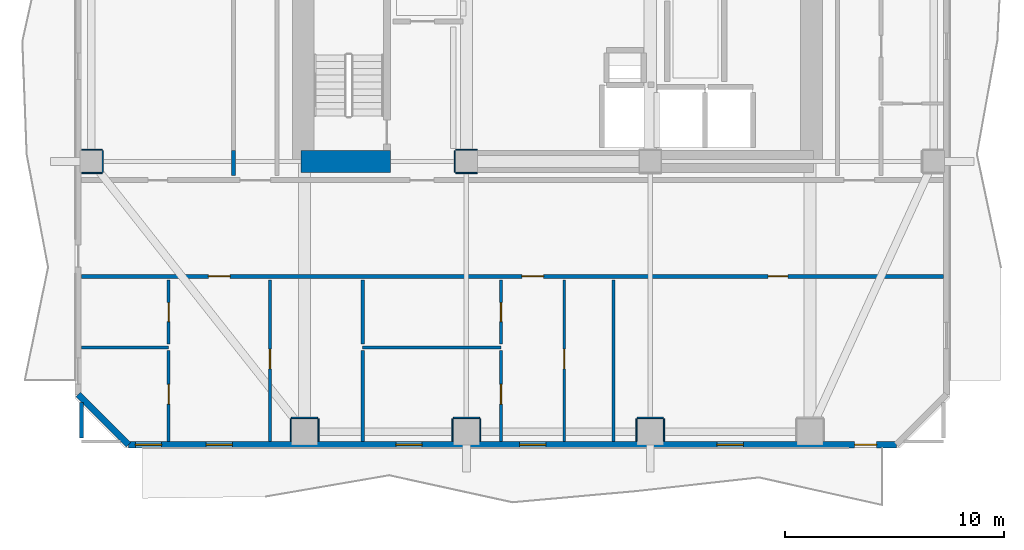
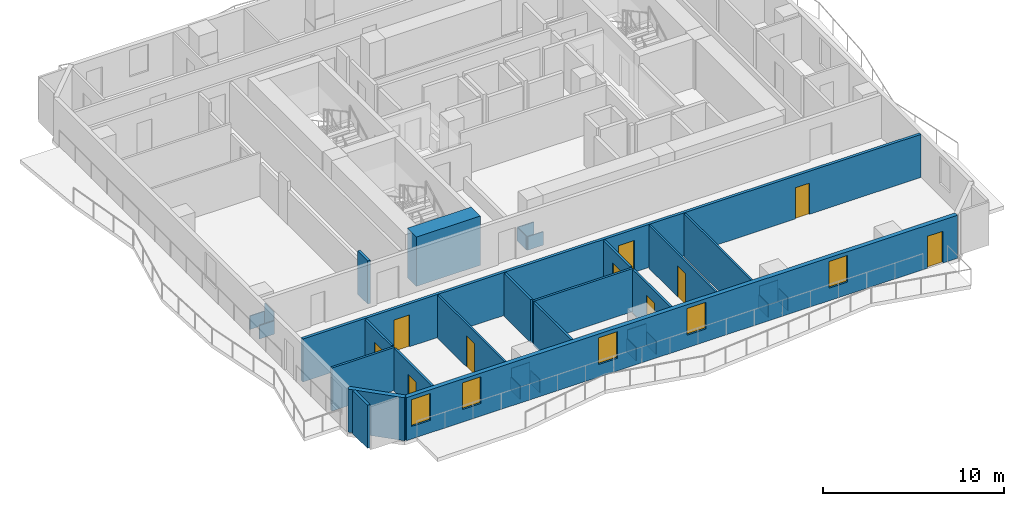
# One storey, part 2 of 10: 32 walls, 10 doors, 5 windows, 15 openings.
"""IFC4 building model written with IfcOpenShell, lengths in metres."""

from ifc_helpers import new_model, si_unit, direction, frame, frame_2d, origin, place, context, subcontext, project, spatial, rectangle, extrude, material, layer, layer_set, type_object, element, fill, save


model = new_model("IFC4")

# Units and contexts
model_context = context("Model", 3, precision=1e-05, world=origin(), true_north=direction((0.0, 1.0)))
body_context = subcontext(model_context, "Body", "Model", "MODEL_VIEW")
ifc_project = project(units=[si_unit("LENGTHUNIT", "METRE"), si_unit("AREAUNIT", "SQUARE_METRE"), si_unit("VOLUMEUNIT", "CUBIC_METRE"), si_unit("PLANEANGLEUNIT", "RADIAN"), si_unit("MASSUNIT", "GRAM", prefix="KILO")], contexts=[model_context])

# Site, building, storey
site_placement = place(None, origin())
site = spatial("IfcSite", under=ifc_project, at=site_placement, CompositionType="ELEMENT")
building_placement = place(site_placement, origin())
building = spatial("IfcBuilding", under=site, at=building_placement, Name="Solanera Arch Residences", CompositionType="ELEMENT")
storey_placement = place(building_placement, frame((0.0, 0.0, 122.679931640625)))
storey = spatial("IfcBuildingStorey", under=building, at=storey_placement, Name="L35", CompositionType="ELEMENT", Elevation=122.679931640625)

# Walls
ifc_material_1 = material(Name="Fire-Rated Gypsum Stud Partition", Category="gypsum")
ifc_layer_1 = layer(ifc_material_1, 0.06005859375)
ifc_layer_set_1 = layer_set([ifc_layer_1], Name="Fire-Rated Gypsum Stud Partition")
wall_type_1 = type_object("IfcWallType", Name="Column Acoustic Furring Wall 60", PredefinedType="PARTITIONING", material=ifc_layer_set_1)
for number, where, z_axis, x_axis, name in (
    (1, (20.300048828125, 21.468017578125, 0.0), (0.0, 0.0, 1.0), (1.0, 0.0, 0.0), "L35 Column Furring 1S"),
    (2, (20.300048828125, 22.531982421875, 0.0), (0.0, 0.0, 1.0), (1.0, 0.0, 0.0), "L35 Column Furring 1N"),
    (3, (20.26806640625, 21.5, 0.0), (0.0, 0.0, 1.0), (0.0, 1.0, 0.0), "L35 Column Furring 1W"),
):
    element("IfcWall", number, at=place(storey_placement, frame(where, z_axis=z_axis, x_axis=x_axis)), inside=storey, type_object=wall_type_1, Name=name, PredefinedType="PARTITIONING", context=body_context, shape_type="SweptSolid", body=[
        extrude(rectangle(XDim=1.0, YDim=0.06005859375, at=frame_2d((0.5, 0.0))), origin(), (0.0, 0.0, 1.0), 0.905029296875),
    ])
wall_1_placement = place(storey_placement, frame((12.800048828125, 10.281982421875, 0.0), z_axis=(0.0, 0.0, 1.0), x_axis=(1.0, 0.0, 0.0)))
element("IfcWall", 4, at=wall_1_placement, inside=storey, type_object=wall_type_1, Name="L35 Column Furring 9N", PredefinedType="PARTITIONING", context=body_context, shape_type="SweptSolid", body=[
    extrude(rectangle(XDim=1.199951171875, YDim=0.06005859375, at=frame_2d((0.60009765625, 0.0))), origin(), (0.0, 0.0, 1.0), 1.449951171875),
])
for number, where, z_axis, x_axis, name in (
    (5, (12.76806640625, 9.2099609375, 0.0), (0.0, 0.0, 1.0), (0.0, 1.0, 0.0), "L35 Column Furring 9W"),
    (6, (14.031982421875, 9.2099609375, 0.0), (0.0, 0.0, 1.0), (0.0, 1.0, 0.0), "L35 Column Furring 9E"),
):
    element("IfcWall", number, at=place(storey_placement, frame(where, z_axis=z_axis, x_axis=x_axis)), inside=storey, type_object=wall_type_1, Name=name, PredefinedType="PARTITIONING", context=body_context, shape_type="SweptSolid", body=[
        extrude(rectangle(XDim=1.0400390625, YDim=0.06005859375, at=frame_2d((0.52001953125, 0.0))), origin(), (0.0, 0.0, 1.0), 0.905029296875),
    ])
wall_2_placement = place(storey_placement, frame((20.199951171875, 10.281982421875, 0.0), z_axis=(0.0, 0.0, 1.0), x_axis=(1.0, 0.0, 0.0)))
element("IfcWall", 7, at=wall_2_placement, inside=storey, type_object=wall_type_1, Name="L35 Column Furring 11N", PredefinedType="PARTITIONING", context=body_context, shape_type="SweptSolid", body=[
    extrude(rectangle(XDim=1.199951171875, YDim=0.06005859375, at=frame_2d((0.60009765625, 0.0))), origin(), (0.0, 0.0, 1.0), 1.449951171875),
])
for number, where, z_axis, x_axis, name in (
    (8, (20.16796875, 9.2099609375, 0.0), (0.0, 0.0, 1.0), (0.0, 1.0, 0.0), "L35 Column Furring 11W"),
    (9, (21.431884765625, 9.2099609375, 0.0), (0.0, 0.0, 1.0), (0.0, 1.0, 0.0), "L35 Column Furring 11E"),
):
    element("IfcWall", number, at=place(storey_placement, frame(where, z_axis=z_axis, x_axis=x_axis)), inside=storey, type_object=wall_type_1, Name=name, PredefinedType="PARTITIONING", context=body_context, shape_type="SweptSolid", body=[
        extrude(rectangle(XDim=1.0400390625, YDim=0.06005859375, at=frame_2d((0.52001953125, 0.0))), origin(), (0.0, 0.0, 1.0), 0.905029296875),
    ])
wall_3_placement = place(storey_placement, frame((28.60009765625, 10.281982421875, 0.0), z_axis=(0.0, 0.0, 1.0), x_axis=(1.0, 0.0, 0.0)))
element("IfcWall", 10, at=wall_3_placement, inside=storey, type_object=wall_type_1, Name="L35 Column Furring 13N", PredefinedType="PARTITIONING", context=body_context, shape_type="SweptSolid", body=[
    extrude(rectangle(XDim=1.199951171875, YDim=0.06005859375, at=frame_2d((0.60009765625, 0.0))), origin(), (0.0, 0.0, 1.0), 1.449951171875),
])
for number, where, z_axis, x_axis, name in (
    (11, (28.568115234375, 9.2099609375, 0.0), (0.0, 0.0, 1.0), (0.0, 1.0, 0.0), "L35 Column Furring 13W"),
    (12, (29.83203125, 9.2099609375, 0.0), (0.0, 0.0, 1.0), (0.0, 1.0, 0.0), "L35 Column Furring 13E"),
):
    element("IfcWall", number, at=place(storey_placement, frame(where, z_axis=z_axis, x_axis=x_axis)), inside=storey, type_object=wall_type_1, Name=name, PredefinedType="PARTITIONING", context=body_context, shape_type="SweptSolid", body=[
        extrude(rectangle(XDim=1.0400390625, YDim=0.06005859375, at=frame_2d((0.52001953125, 0.0))), origin(), (0.0, 0.0, 1.0), 0.905029296875),
    ])
for number, where, z_axis, x_axis, name in (
    (13, (3.2099609375, 21.468017578125, 0.0), (0.0, 0.0, 1.0), (1.0, 0.0, 0.0), "L35 Column Furring 17S"),
    (14, (3.2099609375, 22.531982421875, 0.0), (0.0, 0.0, 1.0), (1.0, 0.0, 0.0), "L35 Column Furring 17N"),
):
    element("IfcWall", number, at=place(storey_placement, frame(where, z_axis=z_axis, x_axis=x_axis)), inside=storey, type_object=wall_type_1, Name=name, PredefinedType="PARTITIONING", context=body_context, shape_type="SweptSolid", body=[
        extrude(rectangle(XDim=0.93994140625, YDim=0.06005859375, at=frame_2d((0.469970703125, 0.0))), origin(), (0.0, 0.0, 1.0), 0.905029296875),
    ])
wall_4_placement = place(storey_placement, frame((4.181884765625, 21.5, 0.0), z_axis=(0.0, 0.0, 1.0), x_axis=(0.0, 1.0, 0.0)))
element("IfcWall", 15, at=wall_4_placement, inside=storey, type_object=wall_type_1, Name="L35 Column Furring 17E", PredefinedType="PARTITIONING", context=body_context, shape_type="SweptSolid", body=[
    extrude(rectangle(XDim=1.0, YDim=0.06005859375, at=frame_2d((0.5, 0.0))), origin(), (0.0, 0.0, 1.0), 1.449951171875),
])
ifc_material_2 = material(Name="Concrete C55/67 (f'c = 60 MPa)", Category="concrete")
ifc_layer_2 = layer(ifc_material_2, 1.0)
ifc_layer_set_2 = layer_set([ifc_layer_2], Name="Concrete C55/67 (f'c = 60 MPa)")
wall_type_2 = type_object("IfcWallType", Name="Core Shear Wall CW-1000", PredefinedType="SHEAR", material=ifc_layer_set_2)
wall_5_placement = place(storey_placement, frame((13.239990234375, 22.0, 0.0), z_axis=(0.0, 0.0, 1.0), x_axis=(1.0, 0.0, 0.0)))
element("IfcWall", 16, at=wall_5_placement, inside=storey, type_object=wall_type_2, Name="L35 South-West Core Shear Wall", PredefinedType="SHEAR", context=body_context, shape_type="SweptSolid", body=[
    extrude(rectangle(XDim=4.080078125, YDim=1.0, at=frame_2d((2.0400390625, 0.0))), origin(), (0.0, 0.0, 1.0), 3.320068359375),
])

# Wall, openings, doors
ifc_material_3 = material(Name="Autoclaved Aerated Concrete Blockwork", Category="masonry")
ifc_layer_3 = layer(ifc_material_3, 0.179931640625)
ifc_layer_set_3 = layer_set([ifc_layer_3], Name="Autoclaved Aerated Concrete Blockwork")
wall_type_3 = type_object("IfcWallType", Name="Corridor Fire Partition 180", PredefinedType="PARTITIONING", material=ifc_layer_set_3)
wall_6_placement = place(storey_placement, frame((3.20703125, 16.75, 0.0), z_axis=(0.0, 0.0, 1.0), x_axis=(1.0, 0.0, 0.0)))
wall_6 = element("IfcWall", 17, at=wall_6_placement, inside=storey, type_object=wall_type_3, Name="L35 Interior Partition H7", PredefinedType="PARTITIONING", context=body_context, shape_type="SweptSolid", body=[
    extrude(rectangle(XDim=39.385986328125, YDim=0.179931640625, at=frame_2d((19.69287109375, 0.0))), origin(), (0.0, 0.0, 1.0), 2.900146484375),
])
opening_1_placement = place(wall_6_placement, frame((5.797119140625, 0.0, 0.0)))
opening_1 = element("IfcOpeningElement", 18, at=opening_1_placement, cuts=wall_6, Name="Opening DI-01", PredefinedType="OPENING", context=body_context, shape_type="SweptSolid", body=[
    extrude(rectangle(XDim=1.0, YDim=2.14990234375, at=frame_2d((0.5, 1.074951171875))), frame((0.0, 0.10009765625, 0.0), z_axis=(0.0, -1.0, 0.0), x_axis=(1.0, 0.0, 0.0)), (0.0, 0.0, 1.0), 0.1999),
])
opening_2_placement = place(wall_6_placement, frame((20.12109375, 0.0, 0.0)))
opening_2 = element("IfcOpeningElement", 19, at=opening_2_placement, cuts=wall_6, Name="Opening DI-01", PredefinedType="OPENING", context=body_context, shape_type="SweptSolid", body=[
    extrude(rectangle(XDim=1.0, YDim=2.14990234375, at=frame_2d((0.5, 1.074951171875))), frame((0.0, 0.10009765625, 0.0), z_axis=(0.0, -1.0, 0.0), x_axis=(1.0, 0.0, 0.0)), (0.0, 0.0, 1.0), 0.1999),
])
opening_3_placement = place(wall_6_placement, frame((31.37890625, 0.0, 0.0)))
opening_3 = element("IfcOpeningElement", 20, at=opening_3_placement, cuts=wall_6, Name="Opening DI-02", PredefinedType="OPENING", context=body_context, shape_type="SweptSolid", body=[
    extrude(rectangle(XDim=0.89990234375, YDim=2.10009765625, at=frame_2d((0.449951171875, 1.050048828125))), frame((0.0, 0.10009765625, 0.0), z_axis=(0.0, -1.0, 0.0), x_axis=(1.0, 0.0, 0.0)), (0.0, 0.0, 1.0), 0.1999),
])
ifc_material_4 = material(Name="Fire-Rated Architectural Hardwood", Category="wood")
door_type_1 = type_object("IfcDoorType", Name="Suite Room Swing Door DI-02", OperationType="NOTDEFINED", PredefinedType="DOOR", material=ifc_material_4)
door_1_placement = place(opening_3_placement, origin())
door_1 = element("IfcDoor", 21, at=door_1_placement, inside=storey, type_object=door_type_1, Name="DR-L35-IN-025", OperationType="SINGLE_SWING_LEFT", OverallHeight=2.10009765625, OverallWidth=0.89990234375, PredefinedType="DOOR", context=body_context, shape_type="SweptSolid", body=[
    extrude(rectangle(XDim=0.89990234375, YDim=2.10009765625, at=frame_2d((0.449951171875, 1.050048828125))), frame((0.0, 0.02490234375, 0.0), z_axis=(0.0, -1.0, 0.0), x_axis=(1.0, 0.0, 0.0)), (0.0, 0.0, 1.0), 0.050048828125),
])
fill(opening_3, door_1)
ifc_material_5 = material(Name="Fire-Rated Architectural Hardwood", Category="wood")
door_type_2 = type_object("IfcDoorType", Name="Unit Entrance Fire Door DI-01", OperationType="NOTDEFINED", PredefinedType="DOOR", material=ifc_material_5)
door_2_placement = place(opening_1_placement, origin())
door_2 = element("IfcDoor", 22, at=door_2_placement, inside=storey, type_object=door_type_2, Name="DR-L35-IN-017", OperationType="SINGLE_SWING_LEFT", OverallHeight=2.14990234375, OverallWidth=1.0, PredefinedType="DOOR", context=body_context, shape_type="SweptSolid", body=[
    extrude(rectangle(XDim=1.0, YDim=2.14990234375, at=frame_2d((0.5, 1.074951171875))), frame((0.0, 0.02490234375, 0.0), z_axis=(0.0, -1.0, 0.0), x_axis=(1.0, 0.0, 0.0)), (0.0, 0.0, 1.0), 0.050048828125),
])
fill(opening_1, door_2)
door_3_placement = place(opening_2_placement, origin())
door_3 = element("IfcDoor", 23, at=door_3_placement, inside=storey, type_object=door_type_2, Name="DR-L35-IN-021", OperationType="SINGLE_SWING_LEFT", OverallHeight=2.14990234375, OverallWidth=1.0, PredefinedType="DOOR", context=body_context, shape_type="SweptSolid", body=[
    extrude(rectangle(XDim=1.0, YDim=2.14990234375, at=frame_2d((0.5, 1.074951171875))), frame((0.0, 0.02490234375, 0.0), z_axis=(0.0, -1.0, 0.0), x_axis=(1.0, 0.0, 0.0)), (0.0, 0.0, 1.0), 0.050048828125),
])
fill(opening_2, door_3)

# Walls
wall_7_placement = place(storey_placement, frame((3.199951171875, 9.35791015625, 0.0), z_axis=(0.0, 0.0, 1.0), x_axis=(0.0, 1.0, 0.0)))
element("IfcWall", 24, at=wall_7_placement, inside=storey, type_object=wall_type_3, Name="L35 Interior Partition V7 1", PredefinedType="PARTITIONING", context=body_context, shape_type="SweptSolid", body=[
    extrude(rectangle(XDim=1.63720703125, YDim=0.179931640625, at=frame_2d((0.818603515625, 0.0))), origin(), (0.0, 0.0, 1.0), 2.900146484375),
])
wall_8_placement = place(storey_placement, frame((10.14990234375, 21.367919921875, 0.0), z_axis=(0.0, 0.0, 1.0), x_axis=(0.0, 1.0, 0.0)))
element("IfcWall", 25, at=wall_8_placement, inside=storey, type_object=wall_type_3, Name="L35 Interior Partition V8 1", PredefinedType="PARTITIONING", context=body_context, shape_type="SweptSolid", body=[
    extrude(rectangle(XDim=1.132080078125, YDim=0.179931640625, at=frame_2d((0.56591796875, 0.0))), origin(), (0.0, 0.0, 1.0), 2.900146484375),
])

# Wall, openings, door, windows
ifc_material_6 = material(Name="Precast Concrete C35/45", Category="concrete")
ifc_layer_4 = layer(ifc_material_6, 0.280029296875)
ifc_layer_set_4 = layer_set([ifc_layer_4], Name="Precast Concrete C35/45")
wall_type_4 = type_object("IfcWallType", Name="Exterior Wall Precast Masonry-Frame 280", PredefinedType="STANDARD", material=ifc_layer_set_4)
wall_9_placement = place(storey_placement, frame((40.445068359375, 9.054931640625, 0.0), z_axis=(0.0, 0.0, 1.0), x_axis=(-1.0, 0.0, 0.0)))
wall_9 = element("IfcWall", 26, at=wall_9_placement, inside=storey, type_object=wall_type_4, Name="L35 Tower Exterior Precast Masonry-Frame Wall S", PredefinedType="STANDARD", context=body_context, shape_type="SweptSolid", body=[
    extrude(rectangle(XDim=35.090087890625, YDim=0.280029296875, at=frame_2d((17.544921875, 0.0))), origin(), (0.0, 0.0, 1.0), 2.900146484375),
])
opening_4_placement = place(wall_9_placement, frame((0.904052734375, 0.0, 0.0)))
opening_4 = element("IfcOpeningElement", 27, at=opening_4_placement, cuts=wall_9, Name="Opening DB-01", PredefinedType="OPENING", context=body_context, shape_type="SweptSolid", body=[
    extrude(rectangle(XDim=1.0, YDim=2.14990234375, at=frame_2d((0.5, 1.074951171875))), frame((0.0, 0.14990234375, 0.0), z_axis=(0.0, -1.0, 0.0), x_axis=(1.0, 0.0, 0.0)), (0.0, 0.0, 1.0), 0.3),
])
opening_5_placement = place(wall_9_placement, frame((30.341064453125, 0.0, 0.85009765625)))
opening_5 = element("IfcOpeningElement", 28, at=opening_5_placement, cuts=wall_9, Name="Opening W-01", PredefinedType="OPENING", context=body_context, shape_type="SweptSolid", body=[
    extrude(rectangle(XDim=1.199951171875, YDim=1.800048828125, at=frame_2d((0.60009765625, 0.89990234375))), frame((0.0, 0.14990234375, 0.0), z_axis=(0.0, -1.0, 0.0), x_axis=(1.0, 0.0, 0.0)), (0.0, 0.0, 1.0), 0.3),
])
opening_6_placement = place(wall_9_placement, frame((33.5791015625, 0.0, 0.85009765625)))
opening_6 = element("IfcOpeningElement", 29, at=opening_6_placement, cuts=wall_9, Name="Opening W-01", PredefinedType="OPENING", context=body_context, shape_type="SweptSolid", body=[
    extrude(rectangle(XDim=1.199951171875, YDim=1.800048828125, at=frame_2d((0.60009765625, 0.89990234375))), frame((0.0, 0.14990234375, 0.0), z_axis=(0.0, -1.0, 0.0), x_axis=(1.0, 0.0, 0.0)), (0.0, 0.0, 1.0), 0.3),
])
opening_7_placement = place(wall_9_placement, frame((16.01708984375, 0.0, 0.85009765625)))
opening_7 = element("IfcOpeningElement", 30, at=opening_7_placement, cuts=wall_9, Name="Opening W-01", PredefinedType="OPENING", context=body_context, shape_type="SweptSolid", body=[
    extrude(rectangle(XDim=1.199951171875, YDim=1.800048828125, at=frame_2d((0.60009765625, 0.89990234375))), frame((0.0, 0.14990234375, 0.0), z_axis=(0.0, -1.0, 0.0), x_axis=(1.0, 0.0, 0.0)), (0.0, 0.0, 1.0), 0.3),
])
opening_8_placement = place(wall_9_placement, frame((21.6650390625, 0.0, 0.85009765625)))
opening_8 = element("IfcOpeningElement", 31, at=opening_8_placement, cuts=wall_9, Name="Opening W-01", PredefinedType="OPENING", context=body_context, shape_type="SweptSolid", body=[
    extrude(rectangle(XDim=1.199951171875, YDim=1.800048828125, at=frame_2d((0.60009765625, 0.89990234375))), frame((0.0, 0.14990234375, 0.0), z_axis=(0.0, -1.0, 0.0), x_axis=(1.0, 0.0, 0.0)), (0.0, 0.0, 1.0), 0.3),
])
opening_9_placement = place(wall_9_placement, frame((6.9951171875, 0.0, 0.85009765625)))
opening_9 = element("IfcOpeningElement", 32, at=opening_9_placement, cuts=wall_9, Name="Opening W-01", PredefinedType="OPENING", context=body_context, shape_type="SweptSolid", body=[
    extrude(rectangle(XDim=1.199951171875, YDim=1.800048828125, at=frame_2d((0.60009765625, 0.89990234375))), frame((0.0, 0.14990234375, 0.0), z_axis=(0.0, -1.0, 0.0), x_axis=(1.0, 0.0, 0.0)), (0.0, 0.0, 1.0), 0.3),
])
ifc_material_7 = material(Name="Anodised Aluminium Alloy 6063-T6", Category="aluminium")
door_type_3 = type_object("IfcDoorType", Name="Glazed Balcony Swing Door DB-01", OperationType="NOTDEFINED", PredefinedType="DOOR", material=ifc_material_7)
door_4_placement = place(opening_4_placement, origin())
door_4 = element("IfcDoor", 33, at=door_4_placement, inside=storey, type_object=door_type_3, Name="DR-L35-OUT-01", OperationType="SINGLE_SWING_LEFT", OverallHeight=2.14990234375, OverallWidth=1.0, PredefinedType="DOOR", context=body_context, shape_type="SweptSolid", body=[
    extrude(rectangle(XDim=1.0, YDim=2.14990234375, at=frame_2d((0.5, 1.074951171875))), frame((0.0, 0.02490234375, 0.0), z_axis=(0.0, -1.0, 0.0), x_axis=(1.0, 0.0, 0.0)), (0.0, 0.0, 1.0), 0.050048828125),
])
fill(opening_4, door_4)
ifc_material_8 = material(Name="Double Glazed Low-E Laminated Glass", Category="glass")
window_type = type_object("IfcWindowType", Name="Punched Window W-01", PartitioningType="SINGLE_PANEL", PredefinedType="WINDOW", material=ifc_material_8)
window_1_placement = place(opening_5_placement, origin())
window_1 = element("IfcWindow", 34, at=window_1_placement, inside=storey, type_object=window_type, Name="L35 3501-LIV Punched Window", OverallHeight=1.800048828125, OverallWidth=1.199951171875, PartitioningType="SINGLE_PANEL", PredefinedType="WINDOW", context=body_context, shape_type="SweptSolid", body=[
    extrude(rectangle(XDim=1.199951171875, YDim=1.800048828125, at=frame_2d((0.60009765625, 0.89990234375))), frame((0.0, 0.030029296875, 0.0), z_axis=(0.0, -1.0, 0.0), x_axis=(1.0, 0.0, 0.0)), (0.0, 0.0, 1.0), 0.06005859375),
])
fill(opening_5, window_1)
window_2_placement = place(opening_6_placement, origin())
window_2 = element("IfcWindow", 35, at=window_2_placement, inside=storey, type_object=window_type, Name="L35 3501-BR1 Punched Window", OverallHeight=1.800048828125, OverallWidth=1.199951171875, PartitioningType="SINGLE_PANEL", PredefinedType="WINDOW", context=body_context, shape_type="SweptSolid", body=[
    extrude(rectangle(XDim=1.199951171875, YDim=1.800048828125, at=frame_2d((0.60009765625, 0.89990234375))), frame((0.0, 0.030029296875, 0.0), z_axis=(0.0, -1.0, 0.0), x_axis=(1.0, 0.0, 0.0)), (0.0, 0.0, 1.0), 0.06005859375),
])
fill(opening_6, window_2)
window_3_placement = place(opening_7_placement, origin())
window_3 = element("IfcWindow", 36, at=window_3_placement, inside=storey, type_object=window_type, Name="L35 3502-LIV Punched Window", OverallHeight=1.800048828125, OverallWidth=1.199951171875, PartitioningType="SINGLE_PANEL", PredefinedType="WINDOW", context=body_context, shape_type="SweptSolid", body=[
    extrude(rectangle(XDim=1.199951171875, YDim=1.800048828125, at=frame_2d((0.60009765625, 0.89990234375))), frame((0.0, 0.030029296875, 0.0), z_axis=(0.0, -1.0, 0.0), x_axis=(1.0, 0.0, 0.0)), (0.0, 0.0, 1.0), 0.06005859375),
])
fill(opening_7, window_3)
window_4_placement = place(opening_8_placement, origin())
window_4 = element("IfcWindow", 37, at=window_4_placement, inside=storey, type_object=window_type, Name="L35 3502-BR1 Punched Window", OverallHeight=1.800048828125, OverallWidth=1.199951171875, PartitioningType="SINGLE_PANEL", PredefinedType="WINDOW", context=body_context, shape_type="SweptSolid", body=[
    extrude(rectangle(XDim=1.199951171875, YDim=1.800048828125, at=frame_2d((0.60009765625, 0.89990234375))), frame((0.0, 0.030029296875, 0.0), z_axis=(0.0, -1.0, 0.0), x_axis=(1.0, 0.0, 0.0)), (0.0, 0.0, 1.0), 0.06005859375),
])
fill(opening_8, window_4)
window_5_placement = place(opening_9_placement, origin())
window_5 = element("IfcWindow", 38, at=window_5_placement, inside=storey, type_object=window_type, Name="L35 AMN-LNG Punched Window", OverallHeight=1.800048828125, OverallWidth=1.199951171875, PartitioningType="SINGLE_PANEL", PredefinedType="WINDOW", context=body_context, shape_type="SweptSolid", body=[
    extrude(rectangle(XDim=1.199951171875, YDim=1.800048828125, at=frame_2d((0.60009765625, 0.89990234375))), frame((0.0, 0.030029296875, 0.0), z_axis=(0.0, -1.0, 0.0), x_axis=(1.0, 0.0, 0.0)), (0.0, 0.0, 1.0), 0.06005859375),
])
fill(opening_9, window_5)

# Wall
wall_10_placement = place(storey_placement, frame((5.35498046875, 9.054931640625, 0.0), z_axis=(0.0, 0.0, 1.0), x_axis=(-0.707106781187, 0.707106781187, 0.0)))
element("IfcWall", 39, at=wall_10_placement, inside=storey, type_object=wall_type_4, Name="L35 Tower Exterior Precast Masonry-Frame Wall CH7", PredefinedType="STANDARD", context=body_context, shape_type="SweptSolid", body=[
    extrude(rectangle(XDim=3.252685546875, YDim=0.280029296875, at=frame_2d((1.62646484375, 0.0))), origin(), (0.0, 0.0, 1.0), 2.900146484375),
])

# Wall, opening, door
ifc_material_9 = material(Name="Fire-Rated Gypsum Stud Partition", Category="gypsum")
ifc_layer_5 = layer(ifc_material_9, 0.1201171875)
ifc_layer_set_5 = layer_set([ifc_layer_5], Name="Fire-Rated Gypsum Stud Partition")
wall_type_5 = type_object("IfcWallType", Name="Unit Drywall Partition 120", PredefinedType="PARTITIONING", material=ifc_layer_set_5)
wall_11_placement = place(storey_placement, frame((11.820068359375, 9.20703125, 0.0), z_axis=(0.0, 0.0, 1.0), x_axis=(0.0, 1.0, 0.0)))
wall_11 = element("IfcWall", 40, at=wall_11_placement, inside=storey, type_object=wall_type_5, Name="L35 Interior Partition V18", PredefinedType="PARTITIONING", context=body_context, shape_type="SweptSolid", body=[
    extrude(rectangle(XDim=7.385009765625, YDim=0.1201171875, at=frame_2d((3.6923828125, 0.0))), origin(), (0.0, 0.0, 1.0), 2.900146484375),
])
opening_10_placement = place(wall_11_placement, frame((3.318115234375, 0.0, 0.0)))
opening_10 = element("IfcOpeningElement", 41, at=opening_10_placement, cuts=wall_11, Name="Opening DI-02", PredefinedType="OPENING", context=body_context, shape_type="SweptSolid", body=[
    extrude(rectangle(XDim=0.89990234375, YDim=2.10009765625, at=frame_2d((0.449951171875, 1.050048828125))), frame((0.0, 0.070068359375, 0.0), z_axis=(0.0, -1.0, 0.0), x_axis=(1.0, 0.0, 0.0)), (0.0, 0.0, 1.0), 0.1401),
])
door_5_placement = place(opening_10_placement, origin())
door_5 = element("IfcDoor", 42, at=door_5_placement, inside=storey, type_object=door_type_1, Name="DR-L35-IN-020", OperationType="SINGLE_SWING_RIGHT", OverallHeight=2.10009765625, OverallWidth=0.89990234375, PredefinedType="DOOR", context=body_context, shape_type="SweptSolid", body=[
    extrude(rectangle(XDim=0.89990234375, YDim=2.10009765625, at=frame_2d((0.449951171875, 1.050048828125))), frame((0.0, 0.02490234375, 0.0), z_axis=(0.0, -1.0, 0.0), x_axis=(1.0, 0.0, 0.0)), (0.0, 0.0, 1.0), 0.050048828125),
])
fill(opening_10, door_5)

wall_12_placement = place(storey_placement, frame((25.27587890625, 9.20703125, 0.0), z_axis=(0.0, 0.0, 1.0), x_axis=(0.0, 1.0, 0.0)))
wall_12 = element("IfcWall", 43, at=wall_12_placement, inside=storey, type_object=wall_type_5, Name="L35 Interior Partition V21", PredefinedType="PARTITIONING", context=body_context, shape_type="SweptSolid", body=[
    extrude(rectangle(XDim=7.385009765625, YDim=0.1201171875, at=frame_2d((3.6923828125, 0.0))), origin(), (0.0, 0.0, 1.0), 2.900146484375),
])
opening_11_placement = place(wall_12_placement, frame((3.318115234375, 0.0, 0.0)))
opening_11 = element("IfcOpeningElement", 44, at=opening_11_placement, cuts=wall_12, Name="Opening DI-02", PredefinedType="OPENING", context=body_context, shape_type="SweptSolid", body=[
    extrude(rectangle(XDim=0.89990234375, YDim=2.10009765625, at=frame_2d((0.449951171875, 1.050048828125))), frame((0.0, 0.070068359375, 0.0), z_axis=(0.0, -1.0, 0.0), x_axis=(1.0, 0.0, 0.0)), (0.0, 0.0, 1.0), 0.1401),
])
door_6_placement = place(opening_11_placement, origin())
door_6 = element("IfcDoor", 45, at=door_6_placement, inside=storey, type_object=door_type_1, Name="DR-L35-IN-024", OperationType="SINGLE_SWING_RIGHT", OverallHeight=2.10009765625, OverallWidth=0.89990234375, PredefinedType="DOOR", context=body_context, shape_type="SweptSolid", body=[
    extrude(rectangle(XDim=0.89990234375, YDim=2.10009765625, at=frame_2d((0.449951171875, 1.050048828125))), frame((0.0, 0.02490234375, 0.0), z_axis=(0.0, -1.0, 0.0), x_axis=(1.0, 0.0, 0.0)), (0.0, 0.0, 1.0), 0.050048828125),
])
fill(opening_11, door_6)

# Walls
wall_13_placement = place(storey_placement, frame((27.52001953125, 9.20703125, 0.0), z_axis=(0.0, 0.0, 1.0), x_axis=(0.0, 1.0, 0.0)))
element("IfcWall", 46, at=wall_13_placement, inside=storey, type_object=wall_type_5, Name="L35 Interior Partition V22", PredefinedType="PARTITIONING", context=body_context, shape_type="SweptSolid", body=[
    extrude(rectangle(XDim=7.385009765625, YDim=0.1201171875, at=frame_2d((3.6923828125, 0.0))), origin(), (0.0, 0.0, 1.0), 2.900146484375),
])
ifc_material_10 = material(Name="Autoclaved Aerated Concrete Blockwork", Category="masonry")
ifc_layer_6 = layer(ifc_material_10, 0.139892578125)
ifc_layer_set_6 = layer_set([ifc_layer_6], Name="Autoclaved Aerated Concrete Blockwork")
wall_type_6 = type_object("IfcWallType", Name="Wet-Room Partition 140", PredefinedType="PARTITIONING", material=ifc_layer_set_6)
wall_14_placement = place(storey_placement, frame((3.20703125, 13.50390625, 0.0), z_axis=(0.0, 0.0, 1.0), x_axis=(1.0, 0.0, 0.0)))
element("IfcWall", 47, at=wall_14_placement, inside=storey, type_object=wall_type_6, Name="L35 Interior Partition H13", PredefinedType="PARTITIONING", context=body_context, shape_type="SweptSolid", body=[
    extrude(rectangle(XDim=3.97998046875, YDim=0.139892578125, at=frame_2d((1.989990234375, 0.0))), origin(), (0.0, 0.0, 1.0), 2.900146484375),
])
wall_15_placement = place(storey_placement, frame((16.06005859375, 13.50390625, 0.0), z_axis=(0.0, 0.0, 1.0), x_axis=(1.0, 0.0, 0.0)))
element("IfcWall", 48, at=wall_15_placement, inside=storey, type_object=wall_type_6, Name="L35 Interior Partition H14", PredefinedType="PARTITIONING", context=body_context, shape_type="SweptSolid", body=[
    extrude(rectangle(XDim=6.31982421875, YDim=0.139892578125, at=frame_2d((3.159912109375, 0.0))), origin(), (0.0, 0.0, 1.0), 2.900146484375),
])

# Wall, opening, door
wall_16_placement = place(storey_placement, frame((7.18701171875, 9.20703125, 0.0), z_axis=(0.0, 0.0, 1.0), x_axis=(0.0, 1.0, 0.0)))
wall_16 = element("IfcWall", 49, at=wall_16_placement, inside=storey, type_object=wall_type_6, Name="L35 Interior Partition V15 1", PredefinedType="PARTITIONING", context=body_context, shape_type="SweptSolid", body=[
    extrude(rectangle(XDim=4.14892578125, YDim=0.139892578125, at=frame_2d((2.074462890625, 0.0))), origin(), (0.0, 0.0, 1.0), 2.900146484375),
])
opening_12_placement = place(wall_16_placement, frame((1.7080078125, 0.0, 0.0)))
opening_12 = element("IfcOpeningElement", 50, at=opening_12_placement, cuts=wall_16, Name="Opening DI-03", PredefinedType="OPENING", context=body_context, shape_type="SweptSolid", body=[
    extrude(rectangle(XDim=0.89990234375, YDim=2.10009765625, at=frame_2d((0.449951171875, 1.050048828125))), frame((0.0, 0.079833984375, 0.0), z_axis=(0.0, -1.0, 0.0), x_axis=(1.0, 0.0, 0.0)), (0.0, 0.0, 1.0), 0.1599),
])
ifc_material_11 = material(Name="Fire-Rated Architectural Hardwood", Category="wood")
door_type_4 = type_object("IfcDoorType", Name="Bedroom Swing Door DI-03", OperationType="NOTDEFINED", PredefinedType="DOOR", material=ifc_material_11)
door_7_placement = place(opening_12_placement, origin())
door_7 = element("IfcDoor", 51, at=door_7_placement, inside=storey, type_object=door_type_4, Name="DR-L35-IN-019", OperationType="SINGLE_SWING_LEFT", OverallHeight=2.10009765625, OverallWidth=0.89990234375, PredefinedType="DOOR", context=body_context, shape_type="SweptSolid", body=[
    extrude(rectangle(XDim=0.89990234375, YDim=2.10009765625, at=frame_2d((0.449951171875, 1.050048828125))), frame((0.0, 0.02490234375, 0.0), z_axis=(0.0, -1.0, 0.0), x_axis=(1.0, 0.0, 0.0)), (0.0, 0.0, 1.0), 0.050048828125),
])
fill(opening_12, door_7)

wall_17_placement = place(storey_placement, frame((7.18701171875, 13.652099609375, 0.0), z_axis=(0.0, 0.0, 1.0), x_axis=(0.0, 1.0, 0.0)))
wall_17 = element("IfcWall", 52, at=wall_17_placement, inside=storey, type_object=wall_type_6, Name="L35 Interior Partition V15 2", PredefinedType="PARTITIONING", context=body_context, shape_type="SweptSolid", body=[
    extrude(rectangle(XDim=2.929931640625, YDim=0.139892578125, at=frame_2d((1.46484375, 0.0))), origin(), (0.0, 0.0, 1.0), 2.900146484375),
])
opening_13_placement = place(wall_17_placement, frame((1.031982421875, 0.0, 0.0)))
opening_13 = element("IfcOpeningElement", 53, at=opening_13_placement, cuts=wall_17, Name="Opening DI-05", PredefinedType="OPENING", context=body_context, shape_type="SweptSolid", body=[
    extrude(rectangle(XDim=0.860107421875, YDim=2.02001953125, at=frame_2d((0.43017578125, 1.010009765625))), frame((0.0, 0.079833984375, 0.0), z_axis=(0.0, -1.0, 0.0), x_axis=(1.0, 0.0, 0.0)), (0.0, 0.0, 1.0), 0.1599),
])
ifc_material_12 = material(Name="Fire-Rated Architectural Hardwood", Category="wood")
door_type_5 = type_object("IfcDoorType", Name="Bathroom Swing Door DI-05", OperationType="NOTDEFINED", PredefinedType="DOOR", material=ifc_material_12)
door_8_placement = place(opening_13_placement, origin())
door_8 = element("IfcDoor", 54, at=door_8_placement, inside=storey, type_object=door_type_5, Name="DR-L35-IN-018", OperationType="SINGLE_SWING_RIGHT", OverallHeight=2.02001953125, OverallWidth=0.860107421875, PredefinedType="DOOR", context=body_context, shape_type="SweptSolid", body=[
    extrude(rectangle(XDim=0.860107421875, YDim=2.02001953125, at=frame_2d((0.43017578125, 1.010009765625))), frame((0.0, 0.02490234375, 0.0), z_axis=(0.0, -1.0, 0.0), x_axis=(1.0, 0.0, 0.0)), (0.0, 0.0, 1.0), 0.050048828125),
])
fill(opening_13, door_8)

# Walls
wall_18_placement = place(storey_placement, frame((16.06005859375, 9.20703125, 0.0), z_axis=(0.0, 0.0, 1.0), x_axis=(0.0, 1.0, 0.0)))
element("IfcWall", 55, at=wall_18_placement, inside=storey, type_object=wall_type_6, Name="L35 Interior Partition V16 1", PredefinedType="PARTITIONING", context=body_context, shape_type="SweptSolid", body=[
    extrude(rectangle(XDim=4.14892578125, YDim=0.139892578125, at=frame_2d((2.074462890625, 0.0))), origin(), (0.0, 0.0, 1.0), 2.900146484375),
])
wall_19_placement = place(storey_placement, frame((16.06005859375, 13.652099609375, 0.0), z_axis=(0.0, 0.0, 1.0), x_axis=(0.0, 1.0, 0.0)))
element("IfcWall", 56, at=wall_19_placement, inside=storey, type_object=wall_type_6, Name="L35 Interior Partition V16 2", PredefinedType="PARTITIONING", context=body_context, shape_type="SweptSolid", body=[
    extrude(rectangle(XDim=2.929931640625, YDim=0.139892578125, at=frame_2d((1.46484375, 0.0))), origin(), (0.0, 0.0, 1.0), 2.900146484375),
])

# Wall, opening, door
wall_20_placement = place(storey_placement, frame((22.3798828125, 9.20703125, 0.0), z_axis=(0.0, 0.0, 1.0), x_axis=(0.0, 1.0, 0.0)))
wall_20 = element("IfcWall", 57, at=wall_20_placement, inside=storey, type_object=wall_type_6, Name="L35 Interior Partition V17 1", PredefinedType="PARTITIONING", context=body_context, shape_type="SweptSolid", body=[
    extrude(rectangle(XDim=4.14892578125, YDim=0.139892578125, at=frame_2d((2.074462890625, 0.0))), origin(), (0.0, 0.0, 1.0), 2.900146484375),
])
opening_14_placement = place(wall_20_placement, frame((1.7080078125, 0.0, 0.0)))
opening_14 = element("IfcOpeningElement", 58, at=opening_14_placement, cuts=wall_20, Name="Opening DI-03", PredefinedType="OPENING", context=body_context, shape_type="SweptSolid", body=[
    extrude(rectangle(XDim=0.89990234375, YDim=2.10009765625, at=frame_2d((0.449951171875, 1.050048828125))), frame((0.0, 0.079833984375, 0.0), z_axis=(0.0, -1.0, 0.0), x_axis=(1.0, 0.0, 0.0)), (0.0, 0.0, 1.0), 0.1599),
])
door_9_placement = place(opening_14_placement, origin())
door_9 = element("IfcDoor", 59, at=door_9_placement, inside=storey, type_object=door_type_4, Name="DR-L35-IN-023", OperationType="SINGLE_SWING_LEFT", OverallHeight=2.10009765625, OverallWidth=0.89990234375, PredefinedType="DOOR", context=body_context, shape_type="SweptSolid", body=[
    extrude(rectangle(XDim=0.89990234375, YDim=2.10009765625, at=frame_2d((0.449951171875, 1.050048828125))), frame((0.0, 0.02490234375, 0.0), z_axis=(0.0, -1.0, 0.0), x_axis=(1.0, 0.0, 0.0)), (0.0, 0.0, 1.0), 0.050048828125),
])
fill(opening_14, door_9)

wall_21_placement = place(storey_placement, frame((22.3798828125, 13.652099609375, 0.0), z_axis=(0.0, 0.0, 1.0), x_axis=(0.0, 1.0, 0.0)))
wall_21 = element("IfcWall", 60, at=wall_21_placement, inside=storey, type_object=wall_type_6, Name="L35 Interior Partition V17 2", PredefinedType="PARTITIONING", context=body_context, shape_type="SweptSolid", body=[
    extrude(rectangle(XDim=2.929931640625, YDim=0.139892578125, at=frame_2d((1.46484375, 0.0))), origin(), (0.0, 0.0, 1.0), 2.900146484375),
])
opening_15_placement = place(wall_21_placement, frame((1.031982421875, 0.0, 0.0)))
opening_15 = element("IfcOpeningElement", 61, at=opening_15_placement, cuts=wall_21, Name="Opening DI-05", PredefinedType="OPENING", context=body_context, shape_type="SweptSolid", body=[
    extrude(rectangle(XDim=0.860107421875, YDim=2.02001953125, at=frame_2d((0.43017578125, 1.010009765625))), frame((0.0, 0.079833984375, 0.0), z_axis=(0.0, -1.0, 0.0), x_axis=(1.0, 0.0, 0.0)), (0.0, 0.0, 1.0), 0.1599),
])
door_10_placement = place(opening_15_placement, origin())
door_10 = element("IfcDoor", 62, at=door_10_placement, inside=storey, type_object=door_type_5, Name="DR-L35-IN-022", OperationType="SINGLE_SWING_RIGHT", OverallHeight=2.02001953125, OverallWidth=0.860107421875, PredefinedType="DOOR", context=body_context, shape_type="SweptSolid", body=[
    extrude(rectangle(XDim=0.860107421875, YDim=2.02001953125, at=frame_2d((0.43017578125, 1.010009765625))), frame((0.0, 0.02490234375, 0.0), z_axis=(0.0, -1.0, 0.0), x_axis=(1.0, 0.0, 0.0)), (0.0, 0.0, 1.0), 0.050048828125),
])
fill(opening_15, door_10)

save(model, "model.ifc")
